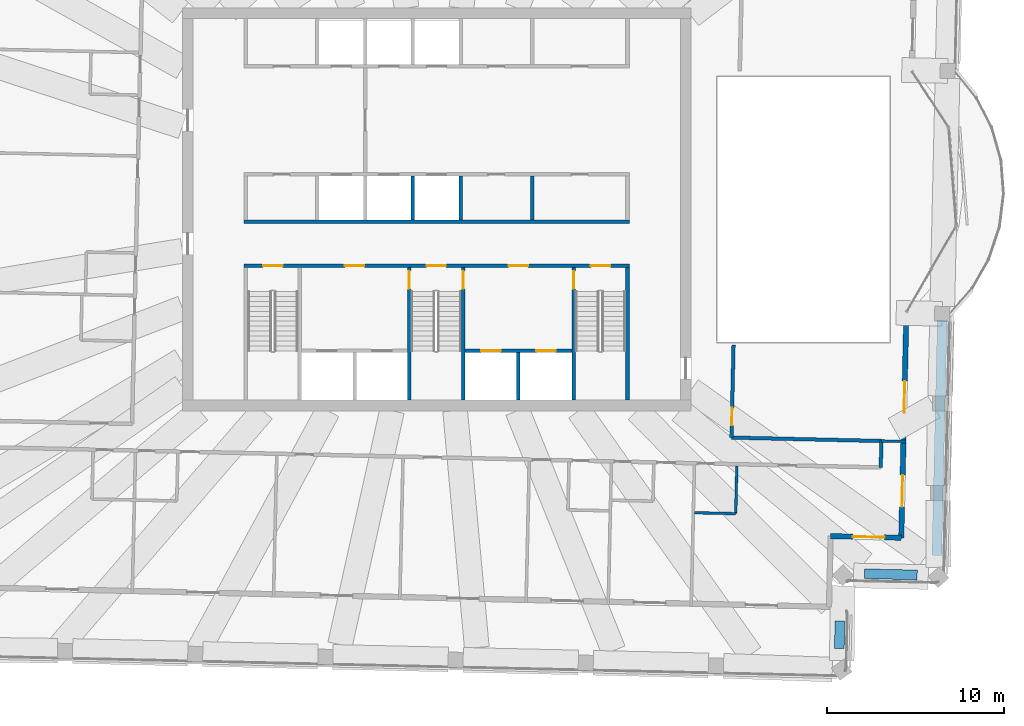
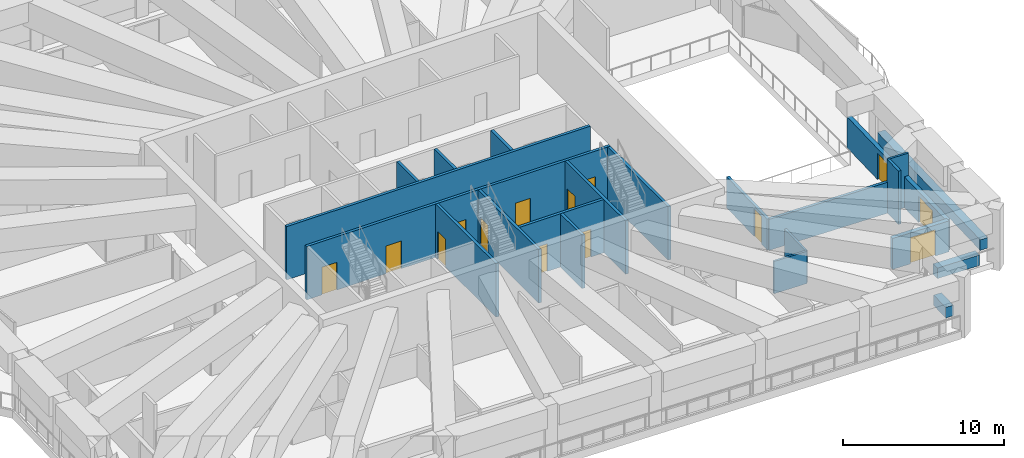
# One storey, part 11 of 21: 22 walls, 14 doors, 14 openings.
"""IFC4 building model written with IfcOpenShell, lengths in metres."""

import ifcopenshell
import ifcopenshell.guid

model = None  # the IFC model being written
_history = None  # IfcOwnerHistory: only IFC2X3 demands one
_inside = {}  # id of a spatial element -> (the spatial element, [elements in it])
_under = {}  # id of a project, library or spatial element -> (it, [spatial elements below it])
_declared = {}  # id of a project -> (the project, [libraries it declares])
_typed = {}  # id of a type object -> (the type object, [elements of that type])
_made_of = {}  # id of a material, layer set ... -> (it, [elements and type objects made of it])


def new_model(schema):
    """Start an empty IFC model of exactly this schema.

    Asked for "IFC4X3", IfcOpenShell would pick the latest addendum, in which some entities
    have other attributes; the version numbers below select the first issue.
    IFC2X3 requires an IfcOwnerHistory on every rooted entity: one is made here for all.
    """
    global model, _history
    if schema == "IFC4X3":
        model = ifcopenshell.file(schema_version=(4, 3, 0, 0))
    else:
        model = ifcopenshell.file(schema=schema)
    _inside.clear()
    _under.clear()
    _declared.clear()
    _typed.clear()
    _made_of.clear()
    _history = None
    if model.schema == "IFC2X3":
        org = make("IfcOrganization", Name="unknown")
        user = make(
            "IfcPersonAndOrganization",
            ThePerson=make("IfcPerson", FamilyName="unknown"),
            TheOrganization=org,
        )
        app = make(
            "IfcApplication",
            ApplicationDeveloper=org,
            Version="unknown",
            ApplicationFullName="unknown",
            ApplicationIdentifier="unknown",
        )
        _history = make(
            "IfcOwnerHistory",
            OwningUser=user,
            OwningApplication=app,
            ChangeAction="ADDED",
            CreationDate=0,
        )
    return model


def make(cls, **values):
    """One entity of the class cls with the attributes given. An attribute that is None is left unset."""
    return model.create_entity(
        cls, **{name: value for name, value in values.items() if value is not None}
    )


def rooted(cls, **values):
    """An entity with a GlobalId (a new one), such as an element, a storey or a relation."""
    return make(cls, GlobalId=ifcopenshell.guid.new(), OwnerHistory=_history, **values)


def si_unit(unit_type, name, prefix=None):
    """IfcSIUnit, for example si_unit("LENGTHUNIT", "METRE", prefix="MILLI")."""
    return make("IfcSIUnit", UnitType=unit_type, Prefix=prefix, Name=name)


def assignment(units):
    """IfcUnitAssignment: the units of a project."""
    return None if units is None else make("IfcUnitAssignment", Units=units)


def point(xyz):
    """IfcCartesianPoint."""
    return None if xyz is None else make("IfcCartesianPoint", Coordinates=xyz)


def direction(xyz):
    """IfcDirection."""
    return None if xyz is None else make("IfcDirection", DirectionRatios=xyz)


def frame(location, z_axis=None, x_axis=None):
    """IfcAxis2Placement3D, a coordinate frame: its origin and axes. An axis left out is left unset."""
    return make(
        "IfcAxis2Placement3D",
        Location=point(location),
        Axis=direction(z_axis),
        RefDirection=direction(x_axis),
    )


def frame_2d(location, x_axis=None):
    """IfcAxis2Placement2D, a coordinate frame in the plane: its origin and x axis."""
    return make(
        "IfcAxis2Placement2D", Location=point(location), RefDirection=direction(x_axis)
    )


def origin():
    """The frame at (0, 0, 0) with its axes left unset."""
    return frame((0.0, 0.0, 0.0))


def place(relative_to, where):
    """IfcLocalPlacement: puts the frame where relative to a parent placement (None: the world)."""
    return make(
        "IfcLocalPlacement", PlacementRelTo=relative_to, RelativePlacement=where
    )


def context(
    kind, dimensions, precision=None, world=None, true_north=None, identifier=None
):
    """IfcGeometricRepresentationContext, for example the 3D "Model" context."""
    return make(
        "IfcGeometricRepresentationContext",
        ContextIdentifier=identifier,
        ContextType=kind,
        CoordinateSpaceDimension=dimensions,
        Precision=precision,
        WorldCoordinateSystem=world,
        TrueNorth=true_north,
    )


def subcontext(parent, identifier, kind, view, scale=None):
    """IfcGeometricRepresentationSubContext, for example "Body" below "Model"."""
    return make(
        "IfcGeometricRepresentationSubContext",
        ContextIdentifier=identifier,
        ContextType=kind,
        ParentContext=parent,
        TargetScale=scale,
        TargetView=view,
    )


def project(units=None, contexts=None):
    """IfcProject with its units and contexts."""
    return rooted(
        "IfcProject",
        Name="project",
        RepresentationContexts=contexts,
        UnitsInContext=assignment(units),
    )


def spatial(cls, under=None, at=None, **own):
    """A site, building, storey or space (cls), placed at a placement, below another one or the project."""
    s = rooted(cls, ObjectPlacement=at, **own)
    if under is not None:
        _under.setdefault(under.id(), (under, []))[1].append(s)
    return s


def profile(cls, at=None, kind="AREA", **sizes):
    """A parametric profile (cls). Its sizes go by their IFC names, for example OverallWidth=200.0."""
    return make(cls, ProfileType=kind, Position=at, **sizes)


def rectangle(**sizes):
    """IfcRectangleProfileDef."""
    return profile("IfcRectangleProfileDef", **sizes)


def extrude(swept, where, along, depth):
    """IfcExtrudedAreaSolid: the profile swept, set in the frame where, extruded along a direction by depth."""
    return make(
        "IfcExtrudedAreaSolid",
        SweptArea=swept,
        Position=where,
        ExtrudedDirection=direction(along),
        Depth=depth,
    )


def shape(context_of_items, identifier, shape_type, items):
    """IfcShapeRepresentation: the items that make up one representation, for example the "Body"."""
    return make(
        "IfcShapeRepresentation",
        ContextOfItems=context_of_items,
        RepresentationIdentifier=identifier,
        RepresentationType=shape_type,
        Items=items,
    )


def material(Name=None, Category=None):
    """IfcMaterial."""
    return make("IfcMaterial", Name=Name, Category=Category)


def layer(
    of_material, thickness, ventilated=None, Name=None, Category=None, Priority=None
):
    """IfcMaterialLayer: one layer of a wall or slab, of a material (None: an air gap)."""
    return make(
        "IfcMaterialLayer",
        Material=of_material,
        LayerThickness=thickness,
        IsVentilated=ventilated,
        Name=Name,
        Category=Category,
        Priority=Priority,
    )


def layer_set(layers, Name=None):
    """IfcMaterialLayerSet."""
    return make("IfcMaterialLayerSet", MaterialLayers=layers, LayerSetName=Name)


def made_of(thing, what):
    """Note that an element or type object is made of a material, layer set ...; save() writes the relation."""
    if what is not None:
        _made_of.setdefault(what.id(), (what, []))[1].append(thing)
    return thing


def type_object(cls, material=None, **own):
    """A type object (cls), such as IfcWallType, which elements share."""
    return made_of(rooted(cls, **own), material)


def element(
    cls,
    number,
    at=None,
    inside=None,
    cuts=None,
    type_object=None,
    material=None,
    context=None,
    identifier="Body",
    shape_type=None,
    held_by="IfcProductDefinitionShape",
    body=None,
    shapes=None,
    **own,
):
    """One element of the class cls, such as IfcWall. Its Tag is "e" and its number.

    at: its placement. inside: the storey or other place that contains it. cuts: it is an
    opening in that element (IfcRelVoidsElement). A single representation is given by context,
    identifier, shape_type and body (its items); several are given by shapes. held_by: the class
    of the entity that holds the representations. save() writes the other relations.
    """
    e = rooted(cls, Tag="e%d" % number, ObjectPlacement=at, **own)
    if body is not None:
        shapes = [shape(context, identifier, shape_type, body)]
    if shapes is not None:
        e.Representation = make(held_by, Representations=shapes)
    if inside is not None:
        _inside.setdefault(inside.id(), (inside, []))[1].append(e)
    if cuts is not None:
        rooted(
            "IfcRelVoidsElement", RelatingBuildingElement=cuts, RelatedOpeningElement=e
        )
    if type_object is not None:
        _typed.setdefault(type_object.id(), (type_object, []))[1].append(e)
    return made_of(e, material)


def fill(opening, filler):
    """IfcRelFillsElement: the door or window that sits in an opening."""
    return rooted(
        "IfcRelFillsElement",
        RelatingOpeningElement=opening,
        RelatedBuildingElement=filler,
    )


def aggregate(whole, parts):
    """IfcRelAggregates: a whole, such as a stair, and the parts it consists of."""
    return rooted("IfcRelAggregates", RelatingObject=whole, RelatedObjects=parts)


def save(model, path):
    """Write the relations noted so far, then the file.

    IfcRelAggregates (storeys below a building ...), IfcRelContainedInSpatialStructure (elements
    in a storey), IfcRelDefinesByType, IfcRelAssociatesMaterial and IfcRelDeclares: one each for
    every whole, place, type object, material and project.
    """
    for whole, parts in _under.values():
        aggregate(whole, parts)
    for where, things in _inside.values():
        rooted(
            "IfcRelContainedInSpatialStructure",
            RelatedElements=things,
            RelatingStructure=where,
        )
    for kind, things in _typed.values():
        rooted("IfcRelDefinesByType", RelatedObjects=things, RelatingType=kind)
    for what, things in _made_of.values():
        rooted("IfcRelAssociatesMaterial", RelatedObjects=things, RelatingMaterial=what)
    for by, libraries in _declared.values():
        rooted("IfcRelDeclares", RelatingContext=by, RelatedDefinitions=libraries)
    model.write(path)


model = new_model("IFC4")

# Units and contexts
model_context = context("Model", 3, precision=1e-05, world=origin(), true_north=direction((0.0, 1.0)))
body_context = subcontext(model_context, "Body", "Model", "MODEL_VIEW")
ifc_project = project(units=[si_unit("LENGTHUNIT", "METRE"), si_unit("AREAUNIT", "SQUARE_METRE"), si_unit("VOLUMEUNIT", "CUBIC_METRE"), si_unit("PLANEANGLEUNIT", "RADIAN"), si_unit("MASSUNIT", "GRAM", prefix="KILO")], contexts=[model_context])

# Site, building, storey
site_placement = place(None, origin())
site = spatial("IfcSite", under=ifc_project, at=site_placement, CompositionType="ELEMENT")
building_placement = place(site_placement, origin())
building = spatial("IfcBuilding", under=site, at=building_placement, Name="Mangrove Gate Tower", CompositionType="ELEMENT")
storey_placement = place(building_placement, frame((0.0, 0.0, 329.699951171875)))
storey = spatial("IfcBuildingStorey", under=building, at=storey_placement, Name="L84", CompositionType="ELEMENT", Elevation=329.699951171875)

# Walls
ifc_material_1 = material(Name="Concrete C32/40", Category="concrete")
ifc_layer_1 = layer(ifc_material_1, 0.199951171875)
ifc_layer_set_1 = layer_set([ifc_layer_1], Name="Core room wall 200 C32/40")
wall_type_1 = type_object("IfcWallType", Name="Core room wall 200 C32/40", PredefinedType="STANDARD", material=ifc_layer_set_1)
wall_1_placement = place(storey_placement, frame((5.39990234375, -0.60009765625, 0.0), z_axis=(0.0, 0.0, 1.0), x_axis=(0.0, 1.0, 0.0)))
element("IfcWall", 1, at=wall_1_placement, inside=storey, type_object=wall_type_1, Name="WALL-L84-CORE-24", PredefinedType="STANDARD", context=body_context, shape_type="SweptSolid", body=[
    extrude(rectangle(XDim=2.5, YDim=0.199951171875, at=frame_2d((1.25, 0.0))), origin(), (0.0, 0.0, 1.0), 4.050048828125),
])
ifc_material_2 = material(Name="Concrete C50/60", Category="concrete")
ifc_layer_2 = layer(ifc_material_2, 0.199951171875)
ifc_layer_set_2 = layer_set([ifc_layer_2], Name="Core shaft wall 200 C50/60")
wall_type_2 = type_object("IfcWallType", Name="Core shaft wall 200 C50/60", PredefinedType="SHEAR", material=ifc_layer_set_2)
wall_2_placement = place(storey_placement, frame((-10.89990234375, -0.699951171875, 0.0), z_axis=(0.0, 0.0, 1.0), x_axis=(1.0, 0.0, 0.0)))
element("IfcWall", 2, at=wall_2_placement, inside=storey, type_object=wall_type_2, Name="WALL-L84-CORE-6", PredefinedType="SHEAR", context=body_context, shape_type="SweptSolid", body=[
    extrude(rectangle(XDim=21.7998046875, YDim=0.199951171875, at=frame_2d((10.89990234375, 0.0))), origin(), (0.0, 0.0, 1.0), 4.050048828125),
])

# Wall, openings, doors
wall_3_placement = place(storey_placement, frame((1.60009765625, -8.0, 0.0), z_axis=(0.0, 0.0, 1.0), x_axis=(1.0, 0.0, 0.0)))
wall_3 = element("IfcWall", 3, at=wall_3_placement, inside=storey, type_object=wall_type_2, Name="WALL-L84-CORE-17", PredefinedType="SHEAR", context=body_context, shape_type="SweptSolid", body=[
    extrude(rectangle(XDim=6.0498046875, YDim=0.199951171875, at=frame_2d((3.02490234375, 0.0))), origin(), (0.0, 0.0, 1.0), 4.050048828125),
])
opening_1_placement = place(wall_3_placement, frame((0.91259765625, 0.0, 0.0)))
opening_1 = element("IfcOpeningElement", 4, at=opening_1_placement, cuts=wall_3, Name="Opening LD", PredefinedType="OPENING", context=body_context, shape_type="SweptSolid", body=[
    extrude(rectangle(XDim=1.10009765625, YDim=2.10009765625, at=frame_2d((0.550048828125, 1.050048828125))), frame((0.0, 0.10986328125, 0.0), z_axis=(0.0, -1.0, 0.0), x_axis=(1.0, 0.0, 0.0)), (0.0, 0.0, 1.0), 0.219970703125),
])
opening_2_placement = place(wall_3_placement, frame((4.03759765625, 0.0, 0.0)))
opening_2 = element("IfcOpeningElement", 5, at=opening_2_placement, cuts=wall_3, Name="Opening LD", PredefinedType="OPENING", context=body_context, shape_type="SweptSolid", body=[
    extrude(rectangle(XDim=1.10009765625, YDim=2.10009765625, at=frame_2d((0.550048828125, 1.050048828125))), frame((0.0, 0.10986328125, 0.0), z_axis=(0.0, -1.0, 0.0), x_axis=(1.0, 0.0, 0.0)), (0.0, 0.0, 1.0), 0.219970703125),
])
ifc_material_3 = material(Name="Stainless steel 316", Category="steel")
door_type_1 = type_object("IfcDoorType", Name="Lift landing door 1100x2100", OperationType="SLIDING_TO_LEFT", PredefinedType="DOOR", material=ifc_material_3)
door_1_placement = place(opening_1_placement, origin())
door_1 = element("IfcDoor", 6, at=door_1_placement, inside=storey, type_object=door_type_1, Name="Landing door LD FFL1", OperationType="SLIDING_TO_LEFT", OverallHeight=2.10009765625, OverallWidth=1.10009765625, PredefinedType="DOOR", context=body_context, shape_type="SweptSolid", body=[
    extrude(rectangle(XDim=1.10009765625, YDim=2.10009765625, at=frame_2d((0.550048828125, 1.050048828125))), frame((0.0, 0.02490234375, 0.0), z_axis=(0.0, -1.0, 0.0), x_axis=(1.0, 0.0, 0.0)), (0.0, 0.0, 1.0), 0.050048828125),
])
fill(opening_1, door_1)
door_2_placement = place(opening_2_placement, origin())
door_2 = element("IfcDoor", 7, at=door_2_placement, inside=storey, type_object=door_type_1, Name="Landing door LD FFL2", OperationType="SLIDING_TO_LEFT", OverallHeight=2.10009765625, OverallWidth=1.10009765625, PredefinedType="DOOR", context=body_context, shape_type="SweptSolid", body=[
    extrude(rectangle(XDim=1.10009765625, YDim=2.10009765625, at=frame_2d((0.550048828125, 1.050048828125))), frame((0.0, 0.02490234375, 0.0), z_axis=(0.0, -1.0, 0.0), x_axis=(1.0, 0.0, 0.0)), (0.0, 0.0, 1.0), 0.050048828125),
])
fill(opening_2, door_2)

# Walls
wall_4_placement = place(storey_placement, frame((4.625, -10.800048828125, 0.0), z_axis=(0.0, 0.0, 1.0), x_axis=(0.0, 1.0, 0.0)))
element("IfcWall", 8, at=wall_4_placement, inside=storey, type_object=wall_type_2, Name="WALL-L84-CORE-18", PredefinedType="SHEAR", context=body_context, shape_type="SweptSolid", body=[
    extrude(rectangle(XDim=2.699951171875, YDim=0.199951171875, at=frame_2d((1.35009765625, 0.0))), origin(), (0.0, 0.0, 1.0), 4.050048828125),
])
for number, where, z_axis, x_axis, name in (
    (9, (-1.35009765625, -0.60009765625, 0.0), (0.0, 0.0, 1.0), (0.0, 1.0, 0.0), "WALL-L84-CORE-22"),
    (10, (1.35009765625, -0.60009765625, 0.0), (0.0, 0.0, 1.0), (0.0, 1.0, 0.0), "WALL-L84-CORE-23"),
):
    element("IfcWall", number, at=place(storey_placement, frame(where, z_axis=z_axis, x_axis=x_axis)), inside=storey, type_object=wall_type_2, Name=name, PredefinedType="SHEAR", context=body_context, shape_type="SweptSolid", body=[
        extrude(rectangle(XDim=2.5, YDim=0.199951171875, at=frame_2d((1.25, 0.0))), origin(), (0.0, 0.0, 1.0), 4.050048828125),
    ])

# Wall, openings, doors
ifc_material_4 = material(Name="Concrete C50/60", Category="concrete")
ifc_layer_3 = layer(ifc_material_4, 0.199951171875)
ifc_layer_set_3 = layer_set([ifc_layer_3], Name="Core stair wall 200 C50/60")
wall_type_3 = type_object("IfcWallType", Name="Core stair wall 200 C50/60", PredefinedType="SHEAR", material=ifc_layer_set_3)
wall_5_placement = place(storey_placement, frame((-10.89990234375, -3.199951171875, 0.0), z_axis=(0.0, 0.0, 1.0), x_axis=(1.0, 0.0, 0.0)))
wall_5 = element("IfcWall", 11, at=wall_5_placement, inside=storey, type_object=wall_type_3, Name="WALL-L84-CORE-5", PredefinedType="SHEAR", context=body_context, shape_type="SweptSolid", body=[
    extrude(rectangle(XDim=21.7998046875, YDim=0.199951171875, at=frame_2d((10.89990234375, 0.0))), origin(), (0.0, 0.0, 1.0), 4.050048828125),
])
opening_3_placement = place(wall_5_placement, frame((1.074951171875, 0.0, 0.0)))
opening_3 = element("IfcOpeningElement", 12, at=opening_3_placement, cuts=wall_5, Name="Opening STD11", PredefinedType="OPENING", context=body_context, shape_type="SweptSolid", body=[
    extrude(rectangle(XDim=1.10009765625, YDim=2.10009765625, at=frame_2d((0.550048828125, 1.050048828125))), frame((0.0, 0.10986328125, 0.0), z_axis=(0.0, -1.0, 0.0), x_axis=(1.0, 0.0, 0.0)), (0.0, 0.0, 1.0), 0.219970703125),
])
opening_4_placement = place(wall_5_placement, frame((10.324951171875, 0.0, 0.0)))
opening_4 = element("IfcOpeningElement", 13, at=opening_4_placement, cuts=wall_5, Name="Opening STD11", PredefinedType="OPENING", context=body_context, shape_type="SweptSolid", body=[
    extrude(rectangle(XDim=1.10009765625, YDim=2.10009765625, at=frame_2d((0.550048828125, 1.050048828125))), frame((0.0, 0.10986328125, 0.0), z_axis=(0.0, -1.0, 0.0), x_axis=(1.0, 0.0, 0.0)), (0.0, 0.0, 1.0), 0.219970703125),
])
opening_5_placement = place(wall_5_placement, frame((19.625, 0.0, 0.0)))
opening_5 = element("IfcOpeningElement", 14, at=opening_5_placement, cuts=wall_5, Name="Opening STD11", PredefinedType="OPENING", context=body_context, shape_type="SweptSolid", body=[
    extrude(rectangle(XDim=1.10009765625, YDim=2.10009765625, at=frame_2d((0.550048828125, 1.050048828125))), frame((0.0, 0.10986328125, 0.0), z_axis=(0.0, -1.0, 0.0), x_axis=(1.0, 0.0, 0.0)), (0.0, 0.0, 1.0), 0.219970703125),
])
opening_6_placement = place(wall_5_placement, frame((5.699951171875, 0.0, 0.0)))
opening_6 = element("IfcOpeningElement", 15, at=opening_6_placement, cuts=wall_5, Name="Opening FL", PredefinedType="OPENING", context=body_context, shape_type="SweptSolid", body=[
    extrude(rectangle(XDim=1.10009765625, YDim=2.10009765625, at=frame_2d((0.550048828125, 1.050048828125))), frame((0.0, 0.10986328125, 0.0), z_axis=(0.0, -1.0, 0.0), x_axis=(1.0, 0.0, 0.0)), (0.0, 0.0, 1.0), 0.219970703125),
])
opening_7_placement = place(wall_5_placement, frame((14.97509765625, 0.0, 0.0)))
opening_7 = element("IfcOpeningElement", 16, at=opening_7_placement, cuts=wall_5, Name="Opening FL", PredefinedType="OPENING", context=body_context, shape_type="SweptSolid", body=[
    extrude(rectangle(XDim=1.10009765625, YDim=2.10009765625, at=frame_2d((0.550048828125, 1.050048828125))), frame((0.0, 0.10986328125, 0.0), z_axis=(0.0, -1.0, 0.0), x_axis=(1.0, 0.0, 0.0)), (0.0, 0.0, 1.0), 0.219970703125),
])
ifc_material_5 = material(Name="Fire-rated steel door set", Category="steel")
door_type_2 = type_object("IfcDoorType", Name="Lobby door FD60 1100x2100", OperationType="SINGLE_SWING_LEFT", PredefinedType="DOOR", material=ifc_material_5)
door_3_placement = place(opening_6_placement, origin())
door_3 = element("IfcDoor", 17, at=door_3_placement, inside=storey, type_object=door_type_2, Name="Lobby door service lobby", OperationType="SINGLE_SWING_LEFT", OverallHeight=2.10009765625, OverallWidth=1.10009765625, PredefinedType="DOOR", context=body_context, shape_type="SweptSolid", body=[
    extrude(rectangle(XDim=1.10009765625, YDim=2.10009765625, at=frame_2d((0.550048828125, 1.050048828125))), frame((0.0, 0.02490234375, 0.0), z_axis=(0.0, -1.0, 0.0), x_axis=(1.0, 0.0, 0.0)), (0.0, 0.0, 1.0), 0.050048828125),
])
fill(opening_6, door_3)
door_4_placement = place(opening_7_placement, origin())
door_4 = element("IfcDoor", 18, at=door_4_placement, inside=storey, type_object=door_type_2, Name="Lobby door fire-fighting lobby", OperationType="SINGLE_SWING_LEFT", OverallHeight=2.10009765625, OverallWidth=1.10009765625, PredefinedType="DOOR", context=body_context, shape_type="SweptSolid", body=[
    extrude(rectangle(XDim=1.10009765625, YDim=2.10009765625, at=frame_2d((0.550048828125, 1.050048828125))), frame((0.0, 0.02490234375, 0.0), z_axis=(0.0, -1.0, 0.0), x_axis=(1.0, 0.0, 0.0)), (0.0, 0.0, 1.0), 0.050048828125),
])
fill(opening_7, door_4)
ifc_material_6 = material(Name="Fire-rated steel door set", Category="steel")
door_type_3 = type_object("IfcDoorType", Name="Stair door FD60 1100x2100", OperationType="SINGLE_SWING_RIGHT", PredefinedType="DOOR", material=ifc_material_6)
door_5_placement = place(opening_3_placement, origin())
door_5 = element("IfcDoor", 19, at=door_5_placement, inside=storey, type_object=door_type_3, Name="Stair door Stair 1", OperationType="SINGLE_SWING_RIGHT", OverallHeight=2.10009765625, OverallWidth=1.10009765625, PredefinedType="DOOR", context=body_context, shape_type="SweptSolid", body=[
    extrude(rectangle(XDim=1.10009765625, YDim=2.10009765625, at=frame_2d((0.550048828125, 1.050048828125))), frame((0.0, 0.02490234375, 0.0), z_axis=(0.0, -1.0, 0.0), x_axis=(1.0, 0.0, 0.0)), (0.0, 0.0, 1.0), 0.050048828125),
])
fill(opening_3, door_5)
door_6_placement = place(opening_4_placement, origin())
door_6 = element("IfcDoor", 20, at=door_6_placement, inside=storey, type_object=door_type_3, Name="Stair door Stair 2", OperationType="SINGLE_SWING_RIGHT", OverallHeight=2.10009765625, OverallWidth=1.10009765625, PredefinedType="DOOR", context=body_context, shape_type="SweptSolid", body=[
    extrude(rectangle(XDim=1.10009765625, YDim=2.10009765625, at=frame_2d((0.550048828125, 1.050048828125))), frame((0.0, 0.02490234375, 0.0), z_axis=(0.0, -1.0, 0.0), x_axis=(1.0, 0.0, 0.0)), (0.0, 0.0, 1.0), 0.050048828125),
])
fill(opening_4, door_6)
door_7_placement = place(opening_5_placement, origin())
door_7 = element("IfcDoor", 21, at=door_7_placement, inside=storey, type_object=door_type_3, Name="Stair door Stair 3", OperationType="SINGLE_SWING_RIGHT", OverallHeight=2.10009765625, OverallWidth=1.10009765625, PredefinedType="DOOR", context=body_context, shape_type="SweptSolid", body=[
    extrude(rectangle(XDim=1.10009765625, YDim=2.10009765625, at=frame_2d((0.550048828125, 1.050048828125))), frame((0.0, 0.02490234375, 0.0), z_axis=(0.0, -1.0, 0.0), x_axis=(1.0, 0.0, 0.0)), (0.0, 0.0, 1.0), 0.050048828125),
])
fill(opening_5, door_7)

# Wall, opening, door
wall_6_placement = place(storey_placement, frame((-1.550048828125, -10.800048828125, 0.0), z_axis=(0.0, 0.0, 1.0), x_axis=(0.0, 1.0, 0.0)))
wall_6 = element("IfcWall", 22, at=wall_6_placement, inside=storey, type_object=wall_type_3, Name="WALL-L84-CORE-11", PredefinedType="SHEAR", context=body_context, shape_type="SweptSolid", body=[
    extrude(rectangle(XDim=7.5, YDim=0.199951171875, at=frame_2d((3.75, 0.0))), origin(), (0.0, 0.0, 1.0), 4.050048828125),
])
opening_8_placement = place(wall_6_placement, frame((6.300048828125, 0.0, 0.0)))
opening_8 = element("IfcOpeningElement", 23, at=opening_8_placement, cuts=wall_6, Name="Opening STD10", PredefinedType="OPENING", context=body_context, shape_type="SweptSolid", body=[
    extrude(rectangle(XDim=1.0, YDim=2.10009765625, at=frame_2d((0.5, 1.050048828125))), frame((0.0, 0.10986328125, 0.0), z_axis=(0.0, -1.0, 0.0), x_axis=(1.0, 0.0, 0.0)), (0.0, 0.0, 1.0), 0.219970703125),
])
ifc_material_7 = material(Name="Fire-rated steel door set", Category="steel")
door_type_4 = type_object("IfcDoorType", Name="Stair door FD60 1000x2100", OperationType="SINGLE_SWING_RIGHT", PredefinedType="DOOR", material=ifc_material_7)
door_8_placement = place(opening_8_placement, origin())
door_8 = element("IfcDoor", 24, at=door_8_placement, inside=storey, type_object=door_type_4, Name="Stair door Stair 2 from service lobby", OperationType="SINGLE_SWING_RIGHT", OverallHeight=2.10009765625, OverallWidth=1.0, PredefinedType="DOOR", context=body_context, shape_type="SweptSolid", body=[
    extrude(rectangle(XDim=1.0, YDim=2.10009765625, at=frame_2d((0.5, 1.050048828125))), frame((0.0, 0.02490234375, 0.0), z_axis=(0.0, -1.0, 0.0), x_axis=(1.0, 0.0, 0.0)), (0.0, 0.0, 1.0), 0.050048828125),
])
fill(opening_8, door_8)

wall_7_placement = place(storey_placement, frame((1.5, -10.800048828125, 0.0), z_axis=(0.0, 0.0, 1.0), x_axis=(0.0, 1.0, 0.0)))
wall_7 = element("IfcWall", 25, at=wall_7_placement, inside=storey, type_object=wall_type_3, Name="WALL-L84-CORE-12", PredefinedType="SHEAR", context=body_context, shape_type="SweptSolid", body=[
    extrude(rectangle(XDim=7.5, YDim=0.199951171875, at=frame_2d((3.75, 0.0))), origin(), (0.0, 0.0, 1.0), 4.050048828125),
])
opening_9_placement = place(wall_7_placement, frame((6.300048828125, 0.0, 0.0)))
opening_9 = element("IfcOpeningElement", 26, at=opening_9_placement, cuts=wall_7, Name="Opening STD10", PredefinedType="OPENING", context=body_context, shape_type="SweptSolid", body=[
    extrude(rectangle(XDim=1.0, YDim=2.10009765625, at=frame_2d((0.5, 1.050048828125))), frame((0.0, 0.10986328125, 0.0), z_axis=(0.0, -1.0, 0.0), x_axis=(1.0, 0.0, 0.0)), (0.0, 0.0, 1.0), 0.219970703125),
])
door_9_placement = place(opening_9_placement, origin())
door_9 = element("IfcDoor", 27, at=door_9_placement, inside=storey, type_object=door_type_4, Name="Stair door Stair 2 from fire-fighting lobby", OperationType="SINGLE_SWING_RIGHT", OverallHeight=2.10009765625, OverallWidth=1.0, PredefinedType="DOOR", context=body_context, shape_type="SweptSolid", body=[
    extrude(rectangle(XDim=1.0, YDim=2.10009765625, at=frame_2d((0.5, 1.050048828125))), frame((0.0, 0.02490234375, 0.0), z_axis=(0.0, -1.0, 0.0), x_axis=(1.0, 0.0, 0.0)), (0.0, 0.0, 1.0), 0.050048828125),
])
fill(opening_9, door_9)

wall_8_placement = place(storey_placement, frame((7.75, -10.800048828125, 0.0), z_axis=(0.0, 0.0, 1.0), x_axis=(0.0, 1.0, 0.0)))
wall_8 = element("IfcWall", 28, at=wall_8_placement, inside=storey, type_object=wall_type_3, Name="WALL-L84-CORE-13", PredefinedType="SHEAR", context=body_context, shape_type="SweptSolid", body=[
    extrude(rectangle(XDim=7.5, YDim=0.199951171875, at=frame_2d((3.75, 0.0))), origin(), (0.0, 0.0, 1.0), 4.050048828125),
])
opening_10_placement = place(wall_8_placement, frame((6.300048828125, 0.0, 0.0)))
opening_10 = element("IfcOpeningElement", 29, at=opening_10_placement, cuts=wall_8, Name="Opening STD10", PredefinedType="OPENING", context=body_context, shape_type="SweptSolid", body=[
    extrude(rectangle(XDim=1.0, YDim=2.10009765625, at=frame_2d((0.5, 1.050048828125))), frame((0.0, 0.10986328125, 0.0), z_axis=(0.0, -1.0, 0.0), x_axis=(1.0, 0.0, 0.0)), (0.0, 0.0, 1.0), 0.219970703125),
])
door_10_placement = place(opening_10_placement, origin())
door_10 = element("IfcDoor", 30, at=door_10_placement, inside=storey, type_object=door_type_4, Name="Stair door Stair 3 from fire-fighting lobby", OperationType="SINGLE_SWING_RIGHT", OverallHeight=2.10009765625, OverallWidth=1.0, PredefinedType="DOOR", context=body_context, shape_type="SweptSolid", body=[
    extrude(rectangle(XDim=1.0, YDim=2.10009765625, at=frame_2d((0.5, 1.050048828125))), frame((0.0, 0.02490234375, 0.0), z_axis=(0.0, -1.0, 0.0), x_axis=(1.0, 0.0, 0.0)), (0.0, 0.0, 1.0), 0.050048828125),
])
fill(opening_10, door_10)

# Walls
wall_9_placement = place(storey_placement, frame((10.800048828125, -10.800048828125, 0.0), z_axis=(0.0, 0.0, 1.0), x_axis=(0.0, 1.0, 0.0)))
element("IfcWall", 31, at=wall_9_placement, inside=storey, type_object=wall_type_3, Name="WALL-L84-CORE-14", PredefinedType="SHEAR", context=body_context, shape_type="SweptSolid", body=[
    extrude(rectangle(XDim=7.5, YDim=0.199951171875, at=frame_2d((3.75, 0.0))), origin(), (0.0, 0.0, 1.0), 4.050048828125),
])
ifc_material_8 = material(Name="Gypsum board on steel stud, EI 60", Category="steel")
ifc_layer_4 = layer(ifc_material_8, 0.199951171875)
ifc_layer_set_4 = layer_set([ifc_layer_4], Name="Corridor wall EI 60")
wall_type_4 = type_object("IfcWallType", Name="Corridor wall EI 60", PredefinedType="PARTITIONING", material=ifc_layer_set_4)
wall_10_placement = place(storey_placement, frame((25.137939453125, -14.611083984375, 0.0), z_axis=(0.0, 0.0, 1.0), x_axis=(0.022780545013, 0.999740489712, 0.0)))
element("IfcWall", 32, at=wall_10_placement, inside=storey, type_object=wall_type_4, Name="WALL-L84-018", PredefinedType="PARTITIONING", context=body_context, shape_type="SweptSolid", body=[
    extrude(rectangle(XDim=1.50048828125, YDim=0.199951171875, at=frame_2d((0.750244140625, 0.0))), origin(), (0.0, 0.0, 1.0), 4.050048828125),
])
wall_11_placement = place(storey_placement, frame((16.678955078125, -12.91796875, 0.0), z_axis=(0.0, 0.0, 1.0), x_axis=(0.999741598108, -0.022731850181, 0.0)))
element("IfcWall", 33, at=wall_11_placement, inside=storey, type_object=wall_type_4, Name="WALL-L84-022", PredefinedType="PARTITIONING", context=body_context, shape_type="SweptSolid", body=[
    extrude(rectangle(XDim=8.495361328125, YDim=0.199951171875, at=frame_2d((4.24755859375, 0.0))), origin(), (0.0, 0.0, 1.0), 2.35009765625),
])

# Wall, opening, door
wall_12_placement = place(storey_placement, frame((16.68408203125, -12.9189453125, 0.0), z_axis=(0.0, 0.0, 1.0), x_axis=(0.022667483124, 0.999743059595, 0.0)))
wall_12 = element("IfcWall", 34, at=wall_12_placement, inside=storey, type_object=wall_type_4, Name="WALL-L84-023", PredefinedType="PARTITIONING", context=body_context, shape_type="SweptSolid", body=[
    extrude(rectangle(XDim=5.245361328125, YDim=0.199951171875, at=frame_2d((2.62255859375, 0.0))), origin(), (0.0, 0.0, 1.0), 2.35009765625),
])
opening_11_placement = place(wall_12_placement, frame((0.69091796875, 0.0, 0.0)))
opening_11 = element("IfcOpeningElement", 35, at=opening_11_placement, cuts=wall_12, Name="Opening AD", PredefinedType="OPENING", context=body_context, shape_type="SweptSolid", body=[
    extrude(rectangle(XDim=1.0, YDim=2.10009765625, at=frame_2d((0.5, 1.050048828125))), frame((0.0, 0.10986328125, 0.0), z_axis=(0.0, -1.0, 0.0), x_axis=(1.0, 0.0, 0.0)), (0.0, 0.0, 1.0), 0.219970703125),
])
ifc_material_9 = material(Name="Timber door leaf", Category="wood")
door_type_5 = type_object("IfcDoorType", Name="Amenity door 1000", OperationType="SINGLE_SWING_LEFT", PredefinedType="DOOR", material=ifc_material_9)
door_11_placement = place(opening_11_placement, origin())
door_11 = element("IfcDoor", 36, at=door_11_placement, inside=storey, type_object=door_type_5, Name="DOOR-L84-LNG-c2b", OperationType="SINGLE_SWING_RIGHT", OverallHeight=2.10009765625, OverallWidth=1.0, PredefinedType="DOOR", context=body_context, shape_type="SweptSolid", body=[
    extrude(rectangle(XDim=1.0, YDim=2.10009765625, at=frame_2d((0.5, 1.050048828125))), frame((0.0, 0.02490234375, 0.0), z_axis=(0.0, -1.0, 0.0), x_axis=(1.0, 0.0, 0.0)), (0.0, 0.0, 1.0), 0.050048828125),
])
fill(opening_11, door_11)

# Wall, openings, doors
ifc_material_10 = material(Name="Limestone", Category="masonry")
ifc_layer_5 = layer(ifc_material_10, 0.0400390625, Name="Limestone cladding")
ifc_material_11 = material(Name="Ventilated air gap")
ifc_layer_6 = layer(ifc_material_11, 0.0400390625, Name="Ventilated cavity")
ifc_material_12 = material(Name="Mineral wool insulation")
ifc_layer_7 = layer(ifc_material_12, 0.06005859375, Name="Insulation")
ifc_material_13 = material(Name="Breather membrane")
ifc_layer_8 = layer(ifc_material_13, 0.001953125, Name="Breather membrane")
ifc_material_14 = material(Name="Concrete C20/25 blockwork", Category="masonry")
ifc_layer_9 = layer(ifc_material_14, 0.14990234375, Name="Blockwork backing wall")
ifc_material_15 = material(Name="Gypsum plaster")
ifc_layer_10 = layer(ifc_material_15, 0.008056640625, Name="Internal plaster")
ifc_layer_set_5 = layer_set([ifc_layer_5, ifc_layer_6, ifc_layer_7, ifc_layer_8, ifc_layer_9, ifc_layer_10], Name="External wall 300 limestone cladding")
wall_type_5 = type_object("IfcWallType", Name="External wall 300 limestone cladding", PredefinedType="SOLIDWALL", material=ifc_layer_set_5)
wall_13_placement = place(storey_placement, frame((26.298095703125, -18.587890625, 0.0), z_axis=(0.0, 0.0, 1.0), x_axis=(0.022677140298, 0.999742840588, 0.0)))
wall_13 = element("IfcWall", 37, at=wall_13_placement, inside=storey, type_object=wall_type_5, Name="WALL-L84-E0", PredefinedType="SOLIDWALL", context=body_context, shape_type="SweptSolid", body=[
    extrude(rectangle(XDim=12.779052734375, YDim=0.300048828125, at=frame_2d((6.3896484375, 0.0))), origin(), (0.0, 0.0, 1.0), 2.35009765625),
])
opening_12_placement = place(wall_13_placement, frame((1.75, 0.0, 0.0)))
opening_12 = element("IfcOpeningElement", 38, at=opening_12_placement, cuts=wall_13, Name="Opening TD2", PredefinedType="OPENING", context=body_context, shape_type="SweptSolid", body=[
    extrude(rectangle(XDim=1.800048828125, YDim=2.0, at=frame_2d((0.89990234375, 1.0))), frame((0.0, 0.159912109375, 0.0), z_axis=(0.0, -1.0, 0.0), x_axis=(1.0, 0.0, 0.0)), (0.0, 0.0, 1.0), 0.320068359375),
])
opening_13_placement = place(wall_13_placement, frame((7.071044921875, 0.0, 0.0)))
opening_13 = element("IfcOpeningElement", 39, at=opening_13_placement, cuts=wall_13, Name="Opening TD2", PredefinedType="OPENING", context=body_context, shape_type="SweptSolid", body=[
    extrude(rectangle(XDim=1.800048828125, YDim=2.0, at=frame_2d((0.89990234375, 1.0))), frame((0.0, 0.159912109375, 0.0), z_axis=(0.0, -1.0, 0.0), x_axis=(1.0, 0.0, 0.0)), (0.0, 0.0, 1.0), 0.320068359375),
])
ifc_material_16 = material(Name="Aluminium frame with laminated clear glass", Category="aluminium")
door_type_6 = type_object("IfcDoorType", Name="Terrace door 1800x2000", OperationType="DOUBLE_DOOR_SINGLE_SWING", PredefinedType="DOOR", material=ifc_material_16)
door_12_placement = place(opening_12_placement, origin())
door_12 = element("IfcDoor", 40, at=door_12_placement, inside=storey, type_object=door_type_6, Name="DOOR-L84-E0-1", OperationType="DOUBLE_DOOR_SINGLE_SWING", OverallHeight=2.0, OverallWidth=1.800048828125, PredefinedType="DOOR", context=body_context, shape_type="SweptSolid", body=[
    extrude(rectangle(XDim=1.800048828125, YDim=2.0, at=frame_2d((0.89990234375, 1.0))), frame((0.0, 0.02490234375, 0.0), z_axis=(0.0, -1.0, 0.0), x_axis=(1.0, 0.0, 0.0)), (0.0, 0.0, 1.0), 0.050048828125),
])
fill(opening_12, door_12)
door_13_placement = place(opening_13_placement, origin())
door_13 = element("IfcDoor", 41, at=door_13_placement, inside=storey, type_object=door_type_6, Name="DOOR-L84-E0-2", OperationType="DOUBLE_DOOR_SINGLE_SWING", OverallHeight=2.0, OverallWidth=1.800048828125, PredefinedType="DOOR", context=body_context, shape_type="SweptSolid", body=[
    extrude(rectangle(XDim=1.800048828125, YDim=2.0, at=frame_2d((0.89990234375, 1.0))), frame((0.0, 0.02490234375, 0.0), z_axis=(0.0, -1.0, 0.0), x_axis=(1.0, 0.0, 0.0)), (0.0, 0.0, 1.0), 0.050048828125),
])
fill(opening_13, door_13)

# Wall, opening, door
wall_14_placement = place(storey_placement, frame((22.299072265625, -18.4970703125, 0.0), z_axis=(0.0, 0.0, 1.0), x_axis=(0.999742213523, -0.022704768219, 0.0)))
wall_14 = element("IfcWall", 42, at=wall_14_placement, inside=storey, type_object=wall_type_5, Name="WALL-L84-S15", PredefinedType="SOLIDWALL", context=body_context, shape_type="SweptSolid", body=[
    extrude(rectangle(XDim=4.0, YDim=0.300048828125, at=frame_2d((2.0, 0.0))), origin(), (0.0, 0.0, 1.0), 2.35009765625),
])
opening_14_placement = place(wall_14_placement, frame((1.25, 0.0, 0.0)))
opening_14 = element("IfcOpeningElement", 43, at=opening_14_placement, cuts=wall_14, Name="Opening TD2", PredefinedType="OPENING", context=body_context, shape_type="SweptSolid", body=[
    extrude(rectangle(XDim=1.800048828125, YDim=2.0, at=frame_2d((0.89990234375, 1.0))), frame((0.0, 0.159912109375, 0.0), z_axis=(0.0, -1.0, 0.0), x_axis=(1.0, 0.0, 0.0)), (0.0, 0.0, 1.0), 0.320068359375),
])
door_14_placement = place(opening_14_placement, origin())
door_14 = element("IfcDoor", 44, at=door_14_placement, inside=storey, type_object=door_type_6, Name="DOOR-L84-S15-1", OperationType="DOUBLE_DOOR_SINGLE_SWING", OverallHeight=2.0, OverallWidth=1.800048828125, PredefinedType="DOOR", context=body_context, shape_type="SweptSolid", body=[
    extrude(rectangle(XDim=1.800048828125, YDim=2.0, at=frame_2d((0.89990234375, 1.0))), frame((0.0, 0.02490234375, 0.0), z_axis=(0.0, -1.0, 0.0), x_axis=(1.0, 0.0, 0.0)), (0.0, 0.0, 1.0), 0.050048828125),
])
fill(opening_14, door_14)

# Walls
ifc_material_17 = material(Name="Gypsum board on steel stud, EI 60", Category="steel")
ifc_layer_11 = layer(ifc_material_17, 0.14990234375)
ifc_layer_set_6 = layer_set([ifc_layer_11], Name="Party wall 150 EI 60")
wall_type_6 = type_object("IfcWallType", Name="Party wall 150 EI 60", PredefinedType="PARTITIONING", material=ifc_layer_set_6)
wall_15_placement = place(storey_placement, frame((14.60205078125, -17.172119140625, 0.0), z_axis=(0.0, 0.0, 1.0), x_axis=(0.999740478815, -0.022781023197, 0.0)))
element("IfcWall", 45, at=wall_15_placement, inside=storey, type_object=wall_type_6, Name="WALL-L84-012", PredefinedType="PARTITIONING", context=body_context, shape_type="SweptSolid", body=[
    extrude(rectangle(XDim=2.325439453125, YDim=0.14990234375, at=frame_2d((1.16259765625, 0.0))), origin(), (0.0, 0.0, 1.0), 2.449951171875),
])
wall_16_placement = place(storey_placement, frame((16.927001953125, -17.22509765625, 0.0), z_axis=(0.0, 0.0, 1.0), x_axis=(0.022606377605, 0.999744443191, 0.0)))
element("IfcWall", 46, at=wall_16_placement, inside=storey, type_object=wall_type_6, Name="WALL-L84-013", PredefinedType="PARTITIONING", context=body_context, shape_type="SweptSolid", body=[
    extrude(rectangle(XDim=2.699951171875, YDim=0.14990234375, at=frame_2d((1.35009765625, 0.0))), origin(), (0.0, 0.0, 1.0), 2.449951171875),
])
wall_17_placement = place(storey_placement, frame((25.16796875, -13.111083984375, 0.0), z_axis=(0.0, 0.0, 1.0), x_axis=(0.999740667531, -0.022772739949, 0.0)))
element("IfcWall", 47, at=wall_17_placement, inside=storey, type_object=wall_type_6, Name="WALL-L84-024", PredefinedType="PARTITIONING", context=body_context, shape_type="SweptSolid", body=[
    extrude(rectangle(XDim=1.404296875, YDim=0.14990234375, at=frame_2d((0.7021484375, 0.0))), origin(), (0.0, 0.0, 1.0), 4.050048828125),
])
ifc_material_18 = material(Name="Concrete C32/40", Category="concrete")
ifc_layer_12 = layer(ifc_material_18, 0.199951171875, Name="Planter trough wall")
ifc_material_19 = material(Name="Bituminous waterproofing membrane")
ifc_layer_13 = layer(ifc_material_19, 0.0048828125, Name="Waterproofing")
ifc_material_20 = material(Name="Drainage board and gravel")
ifc_layer_14 = layer(ifc_material_20, 0.044921875, Name="Drainage layer")
ifc_material_21 = material(Name="Planting soil")
ifc_layer_15 = layer(ifc_material_21, 0.300048828125, Name="Growing medium")
ifc_layer_set_7 = layer_set([ifc_layer_12, ifc_layer_13, ifc_layer_14, ifc_layer_15], Name="Planter wall 550 C32/40")
wall_type_7 = type_object("IfcWallType", Name="Planter wall 550 C32/40", PredefinedType="USERDEFINED", material=ifc_layer_set_7)
wall_18_placement = place(storey_placement, frame((28.613037109375, -6.27490234375, 0.0), z_axis=(0.0, 0.0, 1.0), x_axis=(-0.022685579062, -0.999742649137, 0.0)))
element("IfcWall", 48, at=wall_18_placement, inside=storey, type_object=wall_type_7, Name="PLANTER L84 T1.5.33", ObjectType="PLANTER", PredefinedType="USERDEFINED", context=body_context, shape_type="SweptSolid", body=[
    extrude(rectangle(XDim=13.3125, YDim=0.550048828125, at=frame_2d((6.65625, 0.0))), origin(), (0.0, 0.0, 1.0), 0.800048828125),
])
wall_19_placement = place(storey_placement, frame((27.199951171875, -20.694091796875, 0.0), z_axis=(0.0, 0.0, 1.0), x_axis=(-0.999739890613, 0.022806821707, 0.0)))
element("IfcWall", 49, at=wall_19_placement, inside=storey, type_object=wall_type_7, Name="PLANTER L84 T1.6.6", ObjectType="PLANTER", PredefinedType="USERDEFINED", context=body_context, shape_type="SweptSolid", body=[
    extrude(rectangle(XDim=2.986572265625, YDim=0.550048828125, at=frame_2d((1.4931640625, 0.0))), origin(), (0.0, 0.0, 1.0), 0.800048828125),
])
wall_20_placement = place(storey_placement, frame((22.824951171875, -23.31005859375, 0.0), z_axis=(0.0, 0.0, 1.0), x_axis=(-0.022517521205, -0.999746448475, 0.0)))
element("IfcWall", 50, at=wall_20_placement, inside=storey, type_object=wall_type_7, Name="PLANTER L84 T1.7.6", ObjectType="PLANTER", PredefinedType="USERDEFINED", context=body_context, shape_type="SweptSolid", body=[
    extrude(rectangle(XDim=1.550537109375, YDim=0.550048828125, at=frame_2d((0.775390625, 0.0))), origin(), (0.0, 0.0, 1.0), 0.800048828125),
])

save(model, "model.ifc")
